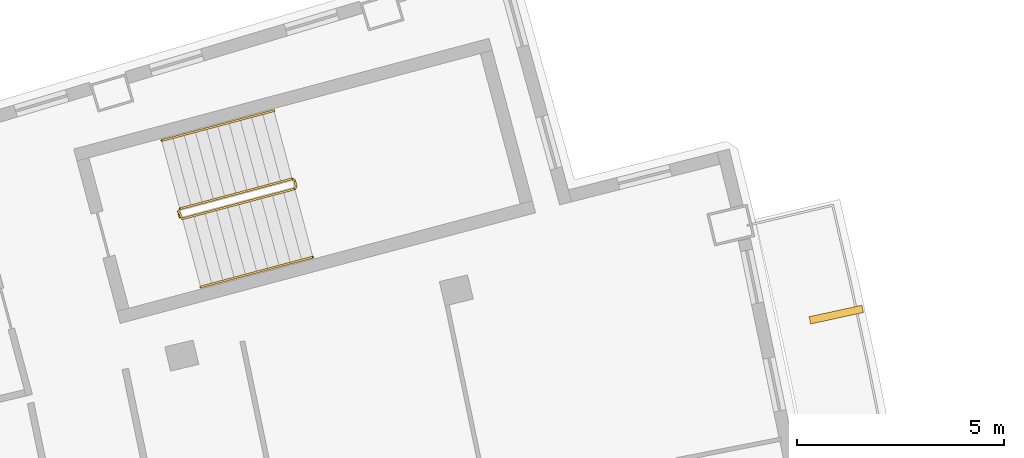
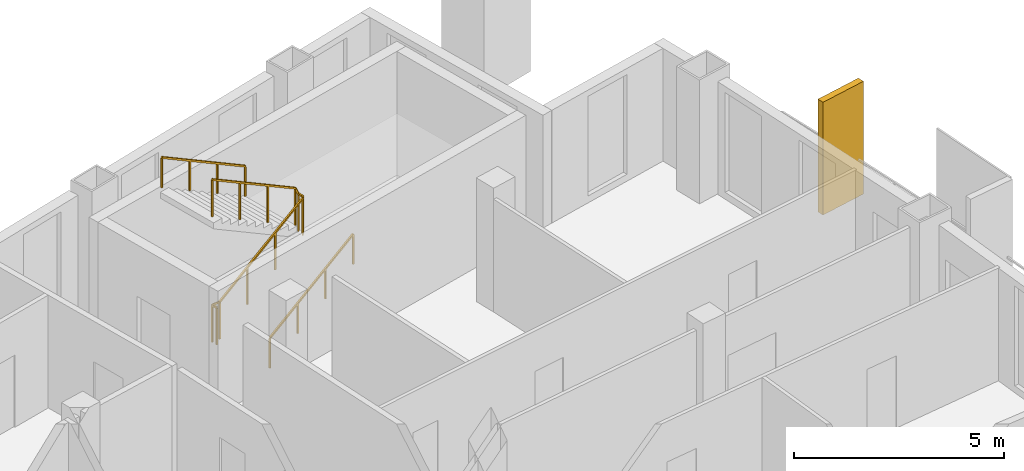
# One storey, part 17 of 17: 3 railings, 1 shading device.
"""IFC4 building model written with IfcOpenShell, lengths in metres."""

import ifcopenshell
import ifcopenshell.guid

model = None  # the IFC model being written
_history = None  # IfcOwnerHistory: only IFC2X3 demands one
_inside = {}  # id of a spatial element -> (the spatial element, [elements in it])
_under = {}  # id of a project, library or spatial element -> (it, [spatial elements below it])
_declared = {}  # id of a project -> (the project, [libraries it declares])
_typed = {}  # id of a type object -> (the type object, [elements of that type])
_made_of = {}  # id of a material, layer set ... -> (it, [elements and type objects made of it])


def new_model(schema):
    """Start an empty IFC model of exactly this schema.

    Asked for "IFC4X3", IfcOpenShell would pick the latest addendum, in which some entities
    have other attributes; the version numbers below select the first issue.
    IFC2X3 requires an IfcOwnerHistory on every rooted entity: one is made here for all.
    """
    global model, _history
    if schema == "IFC4X3":
        model = ifcopenshell.file(schema_version=(4, 3, 0, 0))
    else:
        model = ifcopenshell.file(schema=schema)
    _inside.clear()
    _under.clear()
    _declared.clear()
    _typed.clear()
    _made_of.clear()
    _history = None
    if model.schema == "IFC2X3":
        org = make("IfcOrganization", Name="unknown")
        user = make(
            "IfcPersonAndOrganization",
            ThePerson=make("IfcPerson", FamilyName="unknown"),
            TheOrganization=org,
        )
        app = make(
            "IfcApplication",
            ApplicationDeveloper=org,
            Version="unknown",
            ApplicationFullName="unknown",
            ApplicationIdentifier="unknown",
        )
        _history = make(
            "IfcOwnerHistory",
            OwningUser=user,
            OwningApplication=app,
            ChangeAction="ADDED",
            CreationDate=0,
        )
    return model


def make(cls, **values):
    """One entity of the class cls with the attributes given. An attribute that is None is left unset."""
    return model.create_entity(
        cls, **{name: value for name, value in values.items() if value is not None}
    )


def rooted(cls, **values):
    """An entity with a GlobalId (a new one), such as an element, a storey or a relation."""
    return make(cls, GlobalId=ifcopenshell.guid.new(), OwnerHistory=_history, **values)


def si_unit(unit_type, name, prefix=None):
    """IfcSIUnit, for example si_unit("LENGTHUNIT", "METRE", prefix="MILLI")."""
    return make("IfcSIUnit", UnitType=unit_type, Prefix=prefix, Name=name)


def assignment(units):
    """IfcUnitAssignment: the units of a project."""
    return None if units is None else make("IfcUnitAssignment", Units=units)


def point(xyz):
    """IfcCartesianPoint."""
    return None if xyz is None else make("IfcCartesianPoint", Coordinates=xyz)


def direction(xyz):
    """IfcDirection."""
    return None if xyz is None else make("IfcDirection", DirectionRatios=xyz)


def frame(location, z_axis=None, x_axis=None):
    """IfcAxis2Placement3D, a coordinate frame: its origin and axes. An axis left out is left unset."""
    return make(
        "IfcAxis2Placement3D",
        Location=point(location),
        Axis=direction(z_axis),
        RefDirection=direction(x_axis),
    )


def frame_2d(location, x_axis=None):
    """IfcAxis2Placement2D, a coordinate frame in the plane: its origin and x axis."""
    return make(
        "IfcAxis2Placement2D", Location=point(location), RefDirection=direction(x_axis)
    )


def origin():
    """The frame at (0, 0, 0) with its axes left unset."""
    return frame((0.0, 0.0, 0.0))


def origin_2d():
    """The frame at (0, 0) in the plane with its x axis left unset."""
    return frame_2d((0.0, 0.0))


def place(relative_to, where):
    """IfcLocalPlacement: puts the frame where relative to a parent placement (None: the world)."""
    return make(
        "IfcLocalPlacement", PlacementRelTo=relative_to, RelativePlacement=where
    )


def context(
    kind, dimensions, precision=None, world=None, true_north=None, identifier=None
):
    """IfcGeometricRepresentationContext, for example the 3D "Model" context."""
    return make(
        "IfcGeometricRepresentationContext",
        ContextIdentifier=identifier,
        ContextType=kind,
        CoordinateSpaceDimension=dimensions,
        Precision=precision,
        WorldCoordinateSystem=world,
        TrueNorth=true_north,
    )


def subcontext(parent, identifier, kind, view, scale=None):
    """IfcGeometricRepresentationSubContext, for example "Body" below "Model"."""
    return make(
        "IfcGeometricRepresentationSubContext",
        ContextIdentifier=identifier,
        ContextType=kind,
        ParentContext=parent,
        TargetScale=scale,
        TargetView=view,
    )


def project(units=None, contexts=None):
    """IfcProject with its units and contexts."""
    return rooted(
        "IfcProject",
        Name="project",
        RepresentationContexts=contexts,
        UnitsInContext=assignment(units),
    )


def spatial(cls, under=None, at=None, **own):
    """A site, building, storey or space (cls), placed at a placement, below another one or the project."""
    s = rooted(cls, ObjectPlacement=at, **own)
    if under is not None:
        _under.setdefault(under.id(), (under, []))[1].append(s)
    return s


def profile(cls, at=None, kind="AREA", **sizes):
    """A parametric profile (cls). Its sizes go by their IFC names, for example OverallWidth=200.0."""
    return make(cls, ProfileType=kind, Position=at, **sizes)


def rectangle(**sizes):
    """IfcRectangleProfileDef."""
    return profile("IfcRectangleProfileDef", **sizes)


def extrude(swept, where, along, depth):
    """IfcExtrudedAreaSolid: the profile swept, set in the frame where, extruded along a direction by depth."""
    return make(
        "IfcExtrudedAreaSolid",
        SweptArea=swept,
        Position=where,
        ExtrudedDirection=direction(along),
        Depth=depth,
    )


def shape(context_of_items, identifier, shape_type, items):
    """IfcShapeRepresentation: the items that make up one representation, for example the "Body"."""
    return make(
        "IfcShapeRepresentation",
        ContextOfItems=context_of_items,
        RepresentationIdentifier=identifier,
        RepresentationType=shape_type,
        Items=items,
    )


def material(Name=None, Category=None):
    """IfcMaterial."""
    return make("IfcMaterial", Name=Name, Category=Category)


def layer(
    of_material, thickness, ventilated=None, Name=None, Category=None, Priority=None
):
    """IfcMaterialLayer: one layer of a wall or slab, of a material (None: an air gap)."""
    return make(
        "IfcMaterialLayer",
        Material=of_material,
        LayerThickness=thickness,
        IsVentilated=ventilated,
        Name=Name,
        Category=Category,
        Priority=Priority,
    )


def layer_set(layers, Name=None):
    """IfcMaterialLayerSet."""
    return make("IfcMaterialLayerSet", MaterialLayers=layers, LayerSetName=Name)


def made_of(thing, what):
    """Note that an element or type object is made of a material, layer set ...; save() writes the relation."""
    if what is not None:
        _made_of.setdefault(what.id(), (what, []))[1].append(thing)
    return thing


def type_object(cls, material=None, **own):
    """A type object (cls), such as IfcWallType, which elements share."""
    return made_of(rooted(cls, **own), material)


def element(
    cls,
    number,
    at=None,
    inside=None,
    cuts=None,
    type_object=None,
    material=None,
    context=None,
    identifier="Body",
    shape_type=None,
    held_by="IfcProductDefinitionShape",
    body=None,
    shapes=None,
    **own,
):
    """One element of the class cls, such as IfcWall. Its Tag is "e" and its number.

    at: its placement. inside: the storey or other place that contains it. cuts: it is an
    opening in that element (IfcRelVoidsElement). A single representation is given by context,
    identifier, shape_type and body (its items); several are given by shapes. held_by: the class
    of the entity that holds the representations. save() writes the other relations.
    """
    e = rooted(cls, Tag="e%d" % number, ObjectPlacement=at, **own)
    if body is not None:
        shapes = [shape(context, identifier, shape_type, body)]
    if shapes is not None:
        e.Representation = make(held_by, Representations=shapes)
    if inside is not None:
        _inside.setdefault(inside.id(), (inside, []))[1].append(e)
    if cuts is not None:
        rooted(
            "IfcRelVoidsElement", RelatingBuildingElement=cuts, RelatedOpeningElement=e
        )
    if type_object is not None:
        _typed.setdefault(type_object.id(), (type_object, []))[1].append(e)
    return made_of(e, material)


def aggregate(whole, parts):
    """IfcRelAggregates: a whole, such as a stair, and the parts it consists of."""
    return rooted("IfcRelAggregates", RelatingObject=whole, RelatedObjects=parts)


def save(model, path):
    """Write the relations noted so far, then the file.

    IfcRelAggregates (storeys below a building ...), IfcRelContainedInSpatialStructure (elements
    in a storey), IfcRelDefinesByType, IfcRelAssociatesMaterial and IfcRelDeclares: one each for
    every whole, place, type object, material and project.
    """
    for whole, parts in _under.values():
        aggregate(whole, parts)
    for where, things in _inside.values():
        rooted(
            "IfcRelContainedInSpatialStructure",
            RelatedElements=things,
            RelatingStructure=where,
        )
    for kind, things in _typed.values():
        rooted("IfcRelDefinesByType", RelatedObjects=things, RelatingType=kind)
    for what, things in _made_of.values():
        rooted("IfcRelAssociatesMaterial", RelatedObjects=things, RelatingMaterial=what)
    for by, libraries in _declared.values():
        rooted("IfcRelDeclares", RelatingContext=by, RelatedDefinitions=libraries)
    model.write(path)


model = new_model("IFC4")

# Units and contexts
model_context = context("Model", 3, precision=1e-05, world=origin(), true_north=direction((0.0, 1.0)))
body_context = subcontext(model_context, "Body", "Model", "MODEL_VIEW")
ifc_project = project(units=[si_unit("LENGTHUNIT", "METRE"), si_unit("AREAUNIT", "SQUARE_METRE"), si_unit("VOLUMEUNIT", "CUBIC_METRE"), si_unit("PLANEANGLEUNIT", "RADIAN"), si_unit("MASSUNIT", "GRAM", prefix="KILO")], contexts=[model_context])

# Site, building, storey
site_placement = place(None, origin())
site = spatial("IfcSite", under=ifc_project, at=site_placement, CompositionType="ELEMENT")
building_placement = place(site_placement, origin())
building = spatial("IfcBuilding", under=site, at=building_placement, Name="Alderwake Tower", CompositionType="ELEMENT")
storey_placement = place(building_placement, frame((0.0, 0.0, 270.800048828125)))
storey = spatial("IfcBuildingStorey", under=building, at=storey_placement, Name="L67", CompositionType="ELEMENT", Elevation=270.800048828125)

# Shading device
ifc_material_1 = material(Name="Bronze anodised aluminium", Category="aluminium")
ifc_layer = layer(ifc_material_1, 0.179931640625)
ifc_layer_set = layer_set([ifc_layer], Name="Facade fin 1300")
shading_device_type = type_object("IfcShadingDeviceType", Name="Facade fin 1300", PredefinedType="USERDEFINED", material=ifc_layer_set)
shading_device_placement = place(storey_placement, frame((55.050537109375, 90.336181640625, 0.0), z_axis=(0.0, 0.0, 1.0), x_axis=(0.977210363881, 0.212273184185, 0.0)))
element("IfcShadingDevice", 1, at=shading_device_placement, inside=storey, type_object=shading_device_type, Name="Fin", ObjectType="FIN", PredefinedType="USERDEFINED", context=body_context, shape_type="SweptSolid", body=[
    extrude(rectangle(XDim=1.300048828125, YDim=0.179931640625, at=origin_2d()), origin(), (0.0, 0.0, 1.0), 3.280029296875),
])

# Railings
ifc_material_2 = material(Name="Stainless steel guard", Category="steel")
railing_type_1 = type_object("IfcRailingType", Name="Stair guard 1100", PredefinedType="GUARDRAIL", material=ifc_material_2)
railing_1_placement = place(storey_placement, frame((39.23291015625, 92.6806640625, 0.0)))
element("IfcRailing", 2, at=railing_1_placement, inside=storey, type_object=railing_type_1, Name="L67 ST-A stair guard 1", PredefinedType="GUARDRAIL", context=body_context, shape_type="SweptSolid", body=[
    extrude(rectangle(XDim=0.048095703125, YDim=0.048095703125, at=origin_2d()), frame((0.0, 0.0, 1.076171875), z_axis=(-0.257055032184, 0.966396766566, 0.0), x_axis=(-0.966396766566, -0.257055032184, 0.0)), (0.0, 0.0, 1.0), 0.150146484375),
    extrude(rectangle(XDim=0.048095703125, YDim=0.048095703125, at=origin_2d()), frame((-0.03857421875, 0.14501953125, 1.076171875), z_axis=(0.379370725808, -0.685464465458, 0.621463047167), x_axis=(0.874937996095, 0.484234966715, 0.0)), (0.0, 0.0, 1.0), 0.26318359375),
    extrude(rectangle(XDim=0.048095703125, YDim=0.048095703125, at=origin_2d()), frame((0.061279296875, -0.035400390625, 1.23974609375), z_axis=(0.834258940753, 0.22222815314, 0.504605457487), x_axis=(-0.257402139082, 0.966304371715, 0.0)), (0.0, 0.0, 1.0), 3.2431640625),
    extrude(rectangle(XDim=0.048095703125, YDim=0.048095703125, at=origin_2d()), frame((2.766845703125, 0.685302734375, 2.8759765625), z_axis=(0.500220121494, 0.865898279276, 0.0), x_axis=(-0.865898279276, 0.500220121494, 0.0)), (0.0, 0.0, 1.0), 0.07080078125),
    extrude(rectangle(XDim=0.048095703125, YDim=0.048095703125, at=origin_2d()), frame((2.80224609375, 0.74658203125, 2.8759765625), z_axis=(-0.257459803502, 0.966289009345, 0.0), x_axis=(-0.966289009345, -0.257459803502, 0.0)), (0.0, 0.0, 1.0), 0.14990234375),
    extrude(rectangle(XDim=0.048095703125, YDim=0.048095703125, at=origin_2d()), frame((2.763671875, 0.891357421875, 2.8759765625), z_axis=(-0.34252489212, 0.200034536998, 0.917966710881), x_axis=(-0.504300490226, -0.863528236688, 0.0)), (0.0, 0.0, 1.0), 0.17822265625),
    extrude(rectangle(XDim=0.048095703125, YDim=0.048095703125, at=origin_2d()), frame((2.70263671875, 0.927001953125, 3.03955078125), z_axis=(-0.834313512087, -0.222222637163, 0.504517653885), x_axis=(0.257380452725, -0.966310148221, 0.0)), (0.0, 0.0, 1.0), 3.2431640625),
    extrude(rectangle(XDim=0.0419921875, YDim=0.0419921875, at=origin_2d()), frame((0.0, 0.0, 0.0), z_axis=(0.0, 0.0, 1.0), x_axis=(-0.257055032184, 0.966396766566, 0.0)), (0.0, 0.0, 1.0), 1.052001953125),
    extrude(rectangle(XDim=0.0419921875, YDim=0.0419921875, at=origin_2d()), frame((-0.03857421875, 0.14501953125, 0.0), z_axis=(0.0, 0.0, 1.0), x_axis=(0.484234966715, -0.874937996095, 0.0)), (0.0, 0.0, 1.0), 1.052001953125),
    extrude(rectangle(XDim=0.0419921875, YDim=0.0419921875, at=origin_2d()), frame((0.061279296875, -0.035400390625, 0.16357421875), z_axis=(0.0, 0.0, 1.0), x_axis=(0.966304371715, 0.257402139082, 0.0)), (0.0, 0.0, 1.0), 1.052001953125),
    extrude(rectangle(XDim=0.0419921875, YDim=0.0419921875, at=origin_2d()), frame((0.963134765625, 0.204833984375, 0.708984375), z_axis=(0.0, 0.0, 1.0), x_axis=(0.966304371715, 0.257402139082, 0.0)), (0.0, 0.0, 1.0), 1.052001953125),
    extrude(rectangle(XDim=0.0419921875, YDim=0.0419921875, at=origin_2d()), frame((1.864990234375, 0.445068359375, 1.254638671875), z_axis=(0.0, 0.0, 1.0), x_axis=(0.966304371715, 0.257402139082, 0.0)), (0.0, 0.0, 1.0), 1.052001953125),
    extrude(rectangle(XDim=0.0419921875, YDim=0.0419921875, at=origin_2d()), frame((2.766845703125, 0.685302734375, 1.800048828125), z_axis=(0.0, 0.0, 1.0), x_axis=(0.500220121494, 0.865898279276, 0.0)), (0.0, 0.0, 1.0), 1.052001953125),
    extrude(rectangle(XDim=0.0419921875, YDim=0.0419921875, at=origin_2d()), frame((2.80224609375, 0.74658203125, 1.800048828125), z_axis=(0.0, 0.0, 1.0), x_axis=(-0.257459803502, 0.966289009345, 0.0)), (0.0, 0.0, 1.0), 1.052001953125),
    extrude(rectangle(XDim=0.0419921875, YDim=0.0419921875, at=origin_2d()), frame((2.763671875, 0.891357421875, 1.800048828125), z_axis=(0.0, 0.0, 1.0), x_axis=(-0.863528236688, 0.504300490226, 0.0)), (0.0, 0.0, 1.0), 1.052001953125),
    extrude(rectangle(XDim=0.0419921875, YDim=0.0419921875, at=origin_2d()), frame((2.70263671875, 0.927001953125, 1.963623046875), z_axis=(0.0, 0.0, 1.0), x_axis=(-0.966310148221, -0.257380452725, 0.0)), (0.0, 0.0, 1.0), 1.052001953125),
    extrude(rectangle(XDim=0.0419921875, YDim=0.0419921875, at=origin_2d()), frame((1.80078125, 0.686767578125, 2.509033203125), z_axis=(0.0, 0.0, 1.0), x_axis=(-0.966310148221, -0.257380452725, 0.0)), (0.0, 0.0, 1.0), 1.052001953125),
    extrude(rectangle(XDim=0.0419921875, YDim=0.0419921875, at=origin_2d()), frame((0.898681640625, 0.446533203125, 3.054443359375), z_axis=(0.0, 0.0, 1.0), x_axis=(-0.966310148221, -0.257380452725, 0.0)), (0.0, 0.0, 1.0), 1.052001953125),
    extrude(rectangle(XDim=0.0419921875, YDim=0.0419921875, at=origin_2d()), frame((-0.003173828125, 0.206298828125, 3.599853515625), z_axis=(0.0, 0.0, 1.0), x_axis=(-0.966310148221, -0.257380452725, 0.0)), (0.0, 0.0, 1.0), 1.052001953125),
])
ifc_material_3 = material(Name="Stainless steel handrail", Category="steel")
railing_type_2 = type_object("IfcRailingType", Name="Stair handrail 900", PredefinedType="HANDRAIL", material=ifc_material_3)
railing_2_placement = place(storey_placement, frame((39.731689453125, 91.002685546875, 0.16357421875)))
element("IfcRailing", 3, at=railing_2_placement, inside=storey, type_object=railing_type_2, Name="L67 ST-A stair handrail 1", PredefinedType="HANDRAIL", context=body_context, shape_type="SweptSolid", body=[
    extrude(rectangle(XDim=0.048095703125, YDim=0.048095703125, at=origin_2d()), frame((0.0, 0.0, 0.8759765625), z_axis=(0.834258940753, 0.22222815314, 0.504605457487), x_axis=(-0.257402139082, 0.966304371715, 0.0)), (0.0, 0.0, 1.0), 3.2431640625),
    extrude(rectangle(XDim=0.0419921875, YDim=0.0419921875, at=origin_2d()), frame((0.0, 0.0, 0.0), z_axis=(0.0, 0.0, 1.0), x_axis=(0.966304371715, 0.257402139082, 0.0)), (0.0, 0.0, 1.0), 0.851806640625),
    extrude(rectangle(XDim=0.0419921875, YDim=0.0419921875, at=origin_2d()), frame((0.90185546875, 0.240234375, 0.54541015625), z_axis=(0.0, 0.0, 1.0), x_axis=(0.966304371715, 0.257402139082, 0.0)), (0.0, 0.0, 1.0), 0.851806640625),
    extrude(rectangle(XDim=0.0419921875, YDim=0.0419921875, at=origin_2d()), frame((1.8037109375, 0.48046875, 1.091064453125), z_axis=(0.0, 0.0, 1.0), x_axis=(0.966304371715, 0.257402139082, 0.0)), (0.0, 0.0, 1.0), 0.851806640625),
    extrude(rectangle(XDim=0.0419921875, YDim=0.0419921875, at=origin_2d()), frame((2.70556640625, 0.720703125, 1.636474609375), z_axis=(0.0, 0.0, 1.0), x_axis=(0.966304371715, 0.257402139082, 0.0)), (0.0, 0.0, 1.0), 0.851806640625),
])
railing_3_placement = place(storey_placement, frame((41.497802734375, 95.250244140625, 1.963623046875)))
element("IfcRailing", 4, at=railing_3_placement, inside=storey, type_object=railing_type_2, Name="L67 ST-A stair handrail 2", PredefinedType="HANDRAIL", context=body_context, shape_type="SweptSolid", body=[
    extrude(rectangle(XDim=0.048095703125, YDim=0.048095703125, at=origin_2d()), frame((0.0, 0.0, 0.8759765625), z_axis=(-0.834290631165, -0.222236594766, 0.504549342183), x_axis=(0.257402139082, -0.966304371715, 0.0)), (0.0, 0.0, 1.0), 3.242919921875),
    extrude(rectangle(XDim=0.0419921875, YDim=0.0419921875, at=origin_2d()), frame((0.0, 0.0, 0.0), z_axis=(0.0, 0.0, 1.0), x_axis=(-0.966304371715, -0.257402139082, 0.0)), (0.0, 0.0, 1.0), 0.851806640625),
    extrude(rectangle(XDim=0.0419921875, YDim=0.0419921875, at=origin_2d()), frame((-0.90185546875, -0.240234375, 0.54541015625), z_axis=(0.0, 0.0, 1.0), x_axis=(-0.966304371715, -0.257402139082, 0.0)), (0.0, 0.0, 1.0), 0.851806640625),
    extrude(rectangle(XDim=0.0419921875, YDim=0.0419921875, at=origin_2d()), frame((-1.8037109375, -0.48046875, 1.0908203125), z_axis=(0.0, 0.0, 1.0), x_axis=(-0.966304371715, -0.257402139082, 0.0)), (0.0, 0.0, 1.0), 0.851806640625),
    extrude(rectangle(XDim=0.0419921875, YDim=0.0419921875, at=origin_2d()), frame((-2.70556640625, -0.720703125, 1.63623046875), z_axis=(0.0, 0.0, 1.0), x_axis=(-0.966304371715, -0.257402139082, 0.0)), (0.0, 0.0, 1.0), 0.851806640625),
])

save(model, "model.ifc")
